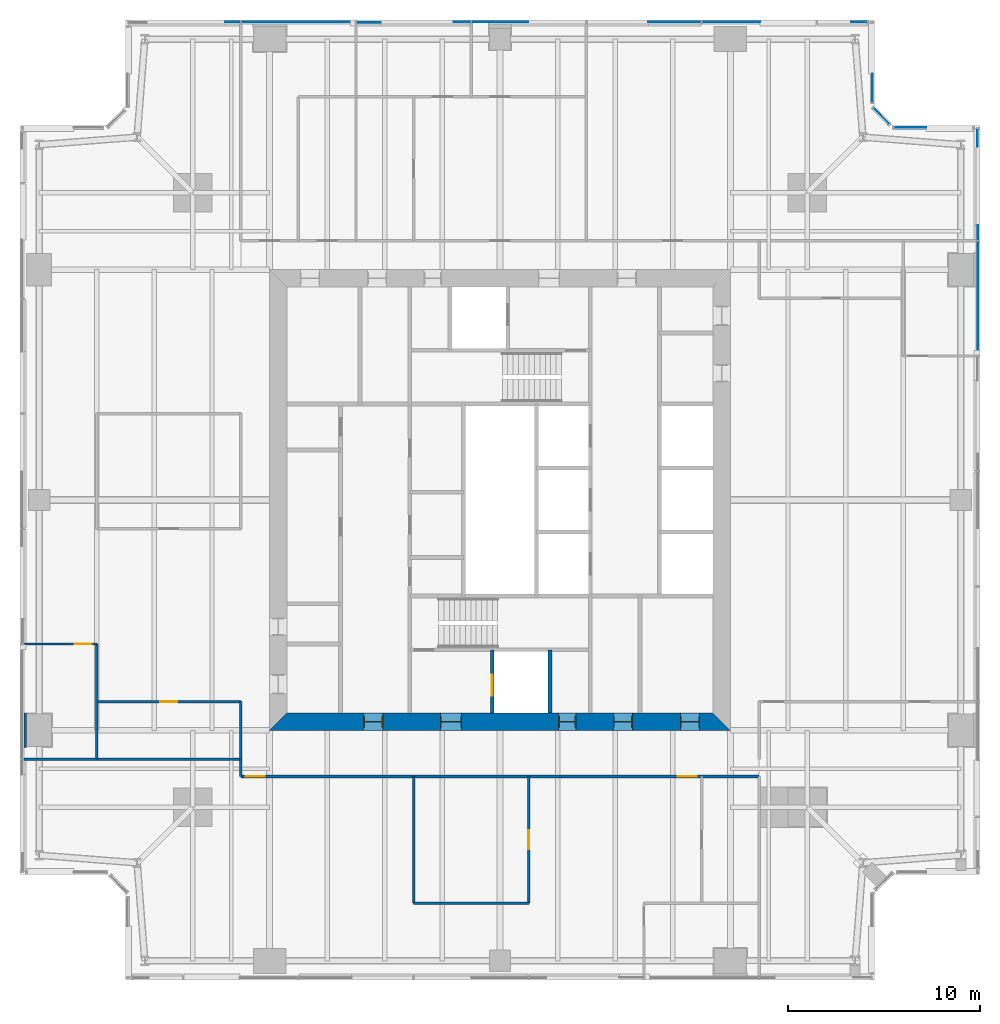
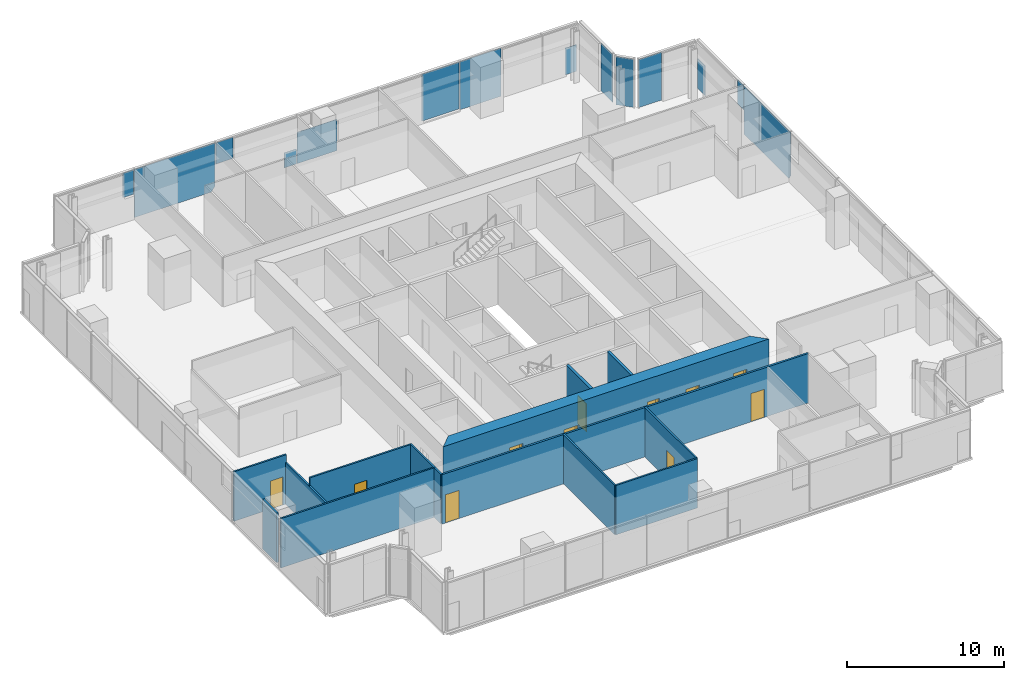
# One storey, part 10 of 15: 14 plates, 14 walls, 11 doors, 11 openings, 5 elements without a shape of their own.
"""IFC4 building model written with IfcOpenShell, lengths in metres."""

from ifc_helpers import new_model, si_unit, direction, frame, frame_2d, origin, origin_2d, place, context, subcontext, project, spatial, polyline, rectangle, outline, extrude, material, layer, layer_set, type_object, element, fill, aggregate, save


model = new_model("IFC4")

# Units and contexts
model_context = context("Model", 3, precision=1e-05, world=origin(), true_north=direction((0.0, 1.0)))
body_context = subcontext(model_context, "Body", "Model", "MODEL_VIEW")
ifc_project = project(units=[si_unit("LENGTHUNIT", "METRE"), si_unit("AREAUNIT", "SQUARE_METRE"), si_unit("VOLUMEUNIT", "CUBIC_METRE"), si_unit("PLANEANGLEUNIT", "RADIAN"), si_unit("MASSUNIT", "GRAM", prefix="KILO")], contexts=[model_context])

# Site, building, storey
site_placement = place(None, origin())
site = spatial("IfcSite", under=ifc_project, at=site_placement, CompositionType="ELEMENT")
building_placement = place(site_placement, origin())
building = spatial("IfcBuilding", under=site, at=building_placement, Name="Fenwick Lantern Interchange", CompositionType="ELEMENT")
storey_placement = place(building_placement, frame((0.0, 0.0, 209.800048828125)))
storey = spatial("IfcBuildingStorey", under=building, at=storey_placement, Name="L49", CompositionType="ELEMENT", Elevation=209.800048828125)

# Curtain wall, plates
ifc_material_1 = material(Name="Aluminium curtain wall frame", Category="aluminium")
curtain_wall_type = type_object("IfcCurtainWallType", Name="OFFICE CURTAIN WALL", PredefinedType="USERDEFINED", material=ifc_material_1)
curtain_wall_1_placement = place(storey_placement, origin())
curtain_wall_1 = element("IfcCurtainWall", 1, at=curtain_wall_1_placement, inside=storey, type_object=curtain_wall_type, Name="Office curtain wall 05", ObjectType="OFFICE CURTAIN WALL", PredefinedType="USERDEFINED")
ifc_material_2 = material(Name="Vision glass, clear low-iron double glazed", Category="glass")
ifc_layer_1 = layer(ifc_material_2, 0.031982421875)
ifc_layer_set_1 = layer_set([ifc_layer_1], Name="OFFICE CURTAIN WALL PANEL 32")
plate_type = type_object("IfcPlateType", Name="OFFICE CURTAIN WALL PANEL 32", PredefinedType="CURTAIN_PANEL", material=ifc_layer_set_1)
plate_1_placement = place(storey_placement, frame((49.89990234375, 5.60009765625, 0.0), z_axis=(0.0, 0.0, 1.0), x_axis=(0.0, 1.0, 0.0)))
plate_1 = element("IfcPlate", 2, at=plate_1_placement, type_object=plate_type, Name="L49/CW/05/P05a", PredefinedType="CURTAIN_PANEL", context=body_context, shape_type="SweptSolid", body=[
    extrude(outline(polyline([(27.195556640625, 0.0), (32.867431640625, 0.0), (32.867431640625, 3.75), (26.9326171875, 3.75), (26.9326171875, 0.3505859375), (27.195556640625, 0.0)])), frame((0.0, 0.01611328125, 0.0), z_axis=(0.0, -1.0, 0.0), x_axis=(1.0, 0.0, 0.0)), (0.0, 0.0, 1.0), 0.031982421875),
])
plate_2_placement = place(storey_placement, frame((49.89990234375, 5.60009765625, 1.843994140625), z_axis=(0.0, 0.0, 1.0), x_axis=(0.0, 1.0, 0.0)))
plate_2 = element("IfcPlate", 3, at=plate_2_placement, type_object=plate_type, Name="L49/CW/05/P06a", PredefinedType="CURTAIN_PANEL", context=body_context, shape_type="SweptSolid", body=[
    extrude(outline(polyline([(32.9326171875, 0.0), (33.702392578125, 0.0), (33.702392578125, 1.906005859375), (32.9326171875, 1.906005859375), (32.9326171875, 0.0)])), frame((0.0, 0.01611328125, 0.0), z_axis=(0.0, -1.0, 0.0), x_axis=(1.0, 0.0, 0.0)), (0.0, 0.0, 1.0), 0.031982421875),
])
plate_3_placement = place(storey_placement, frame((49.89990234375, 5.60009765625, 0.0), z_axis=(0.0, 0.0, 1.0), x_axis=(0.0, 1.0, 0.0)))
plate_3 = element("IfcPlate", 4, at=plate_3_placement, type_object=plate_type, Name="L49/CW/05/P06b", PredefinedType="CURTAIN_PANEL", context=body_context, shape_type="SweptSolid", body=[
    extrude(outline(polyline([(37.7890625, 0.0), (38.735107421875, 0.0), (38.735107421875, 2.33837890625), (37.7890625, 2.33837890625), (37.7890625, 0.0)])), frame((0.0, 0.0498046875, 0.0), z_axis=(0.0, -1.0, 0.0), x_axis=(1.0, 0.0, 0.0)), (0.0, 0.0, 1.0), 0.031982421875),
])
aggregate(curtain_wall_1, [plate_1, plate_2, plate_3])

# Curtain wall, plate
curtain_wall_2_placement = place(storey_placement, origin())
curtain_wall_2 = element("IfcCurtainWall", 5, at=curtain_wall_2_placement, inside=storey, type_object=curtain_wall_type, Name="Office curtain wall 06", ObjectType="OFFICE CURTAIN WALL", PredefinedType="USERDEFINED")
plate_4_placement = place(storey_placement, frame((49.89990234375, 44.39990234375, 0.0), z_axis=(0.0, 0.0, 1.0), x_axis=(-1.0, 0.0, 0.0)))
plate_4 = element("IfcPlate", 6, at=plate_4_placement, type_object=plate_type, Name="L49/CW/06/P00a", PredefinedType="CURTAIN_PANEL", context=body_context, shape_type="SweptSolid", body=[
    extrude(outline(polyline([(2.699951171875, 0.0), (4.37646484375, 0.0), (4.37646484375, 3.75), (2.699951171875, 3.75), (2.699951171875, 0.0)])), frame((0.0, 0.01611328125, 0.0), z_axis=(0.0, -1.0, 0.0), x_axis=(1.0, 0.0, 0.0)), (0.0, 0.0, 1.0), 0.031982421875),
])
aggregate(curtain_wall_2, [plate_4])

curtain_wall_3_placement = place(storey_placement, origin())
curtain_wall_3 = element("IfcCurtainWall", 7, at=curtain_wall_3_placement, inside=storey, type_object=curtain_wall_type, Name="Office curtain wall 07", ObjectType="OFFICE CURTAIN WALL", PredefinedType="USERDEFINED")
plate_5_placement = place(storey_placement, frame((44.858642578125, 45.0, 0.0), z_axis=(0.0, 0.0, 1.0), x_axis=(-0.707106781187, 0.707106781187, 0.0)))
plate_5 = element("IfcPlate", 8, at=plate_5_placement, type_object=plate_type, Name="L49/CW/07/P00", PredefinedType="CURTAIN_PANEL", context=body_context, shape_type="SweptSolid", body=[
    extrude(rectangle(XDim=1.1669921875, YDim=0.031982421875, at=origin_2d()), origin(), (0.0, 0.0, 1.0), 3.75),
])
aggregate(curtain_wall_3, [plate_5])

curtain_wall_4_placement = place(storey_placement, origin())
curtain_wall_4 = element("IfcCurtainWall", 9, at=curtain_wall_4_placement, inside=storey, type_object=curtain_wall_type, Name="Office curtain wall 08", ObjectType="OFFICE CURTAIN WALL", PredefinedType="USERDEFINED")
plate_6_placement = place(storey_placement, frame((44.39990234375, 45.45849609375, 0.0), z_axis=(0.0, 0.0, 1.0), x_axis=(0.0, 1.0, 0.0)))
plate_6 = element("IfcPlate", 10, at=plate_6_placement, type_object=plate_type, Name="L49/CW/08/P00a", PredefinedType="CURTAIN_PANEL", context=body_context, shape_type="SweptSolid", body=[
    extrude(outline(polyline([(0.264892578125, 0.0), (1.741455078125, 0.0), (1.741455078125, 3.75), (0.264892578125, 3.75), (0.264892578125, 0.0)])), frame((0.0, 0.01611328125, 0.0), z_axis=(0.0, -1.0, 0.0), x_axis=(1.0, 0.0, 0.0)), (0.0, 0.0, 1.0), 0.031982421875),
])
aggregate(curtain_wall_4, [plate_6])

# Curtain wall, plates
curtain_wall_5_placement = place(storey_placement, origin())
curtain_wall_5 = element("IfcCurtainWall", 11, at=curtain_wall_5_placement, inside=storey, type_object=curtain_wall_type, Name="Office curtain wall 09", ObjectType="OFFICE CURTAIN WALL", PredefinedType="USERDEFINED")
plate_7_placement = place(storey_placement, frame((44.39990234375, 49.89990234375, 0.0), z_axis=(0.0, 0.0, 1.0), x_axis=(-1.0, 0.0, 0.0)))
plate_7 = element("IfcPlate", 12, at=plate_7_placement, type_object=plate_type, Name="L49/CW/09/P00a", PredefinedType="CURTAIN_PANEL", context=body_context, shape_type="SweptSolid", body=[
    extrude(outline(polyline([(0.264892578125, 0.0), (1.114990234375, 0.0), (1.114990234375, 2.082275390625), (0.264892578125, 2.082275390625), (0.264892578125, 0.0)])), frame((0.0, 0.01611328125, 0.0), z_axis=(0.0, -1.0, 0.0), x_axis=(1.0, 0.0, 0.0)), (0.0, 0.0, 1.0), 0.031982421875),
])
plate_8_placement = place(storey_placement, frame((44.39990234375, 49.89990234375, 0.0), z_axis=(0.0, 0.0, 1.0), x_axis=(-1.0, 0.0, 0.0)))
plate_8 = element("IfcPlate", 13, at=plate_8_placement, type_object=plate_type, Name="L49/CW/09/P01a", PredefinedType="CURTAIN_PANEL", context=body_context, shape_type="SweptSolid", body=[
    extrude(outline(polyline([(5.84814453125, 0.0), (8.867431640625, 0.0), (8.867431640625, 3.75), (5.84814453125, 3.75), (5.84814453125, 0.0)])), frame((0.0, 0.01611328125, 0.0), z_axis=(0.0, -1.0, 0.0), x_axis=(1.0, 0.0, 0.0)), (0.0, 0.0, 1.0), 0.031982421875),
])
plate_9_placement = place(storey_placement, frame((44.39990234375, 49.89990234375, 0.090576171875), z_axis=(0.0, 0.0, 1.0), x_axis=(-1.0, 0.0, 0.0)))
plate_9 = element("IfcPlate", 14, at=plate_9_placement, type_object=plate_type, Name="L49/CW/09/P02a", PredefinedType="CURTAIN_PANEL", context=body_context, shape_type="SweptSolid", body=[
    extrude(outline(polyline([(8.9326171875, 0.0), (11.672607421875, 0.0), (11.672607421875, 3.659423828125), (8.9326171875, 3.659423828125), (8.9326171875, 0.0)])), frame((0.0, 0.01611328125, 0.0), z_axis=(0.0, -1.0, 0.0), x_axis=(1.0, 0.0, 0.0)), (0.0, 0.0, 1.0), 0.031982421875),
])
plate_10_placement = place(storey_placement, frame((44.39990234375, 49.89990234375, 0.0), z_axis=(0.0, 0.0, 1.0), x_axis=(-1.0, 0.0, 0.0)))
plate_10 = element("IfcPlate", 15, at=plate_10_placement, type_object=plate_type, Name="L49/CW/09/P03a", PredefinedType="CURTAIN_PANEL", context=body_context, shape_type="SweptSolid", body=[
    extrude(outline(polyline([(17.9345703125, 0.0), (20.864501953125, 0.0), (20.864501953125, 2.43994140625), (17.9345703125, 2.43994140625), (17.9345703125, 0.0)])), frame((0.0, 0.01611328125, 0.0), z_axis=(0.0, -1.0, 0.0), x_axis=(1.0, 0.0, 0.0)), (0.0, 0.0, 1.0), 0.031982421875),
])
plate_11_placement = place(storey_placement, frame((44.39990234375, 49.89990234375, 0.0), z_axis=(0.0, 0.0, 1.0), x_axis=(-1.0, 0.0, 0.0)))
plate_11 = element("IfcPlate", 16, at=plate_11_placement, type_object=plate_type, Name="L49/CW/09/P04a", PredefinedType="CURTAIN_PANEL", context=body_context, shape_type="SweptSolid", body=[
    extrude(outline(polyline([(20.9326171875, 0.0), (21.8125, 0.0), (21.8125, 1.17724609375), (20.9326171875, 1.17724609375), (20.9326171875, 0.0)])), frame((0.0, 0.01611328125, 0.0), z_axis=(0.0, -1.0, 0.0), x_axis=(1.0, 0.0, 0.0)), (0.0, 0.0, 1.0), 0.031982421875),
])
plate_12_placement = place(storey_placement, frame((44.39990234375, 49.89990234375, 2.0966796875), z_axis=(0.0, 0.0, 1.0), x_axis=(-1.0, 0.0, 0.0)))
plate_12 = element("IfcPlate", 17, at=plate_12_placement, type_object=plate_type, Name="L49/CW/09/P04b", PredefinedType="CURTAIN_PANEL", context=body_context, shape_type="SweptSolid", body=[
    extrude(outline(polyline([(25.623046875, 0.0), (26.867431640625, 0.0), (26.867431640625, 1.6533203125), (25.623046875, 1.6533203125), (25.623046875, 0.0)])), frame((0.0, 0.0498046875, 0.0), z_axis=(0.0, -1.0, 0.0), x_axis=(1.0, 0.0, 0.0)), (0.0, 0.0, 1.0), 0.031982421875),
])
plate_13_placement = place(storey_placement, frame((44.39990234375, 49.89990234375, 0.0), z_axis=(0.0, 0.0, 1.0), x_axis=(-1.0, 0.0, 0.0)))
plate_13 = element("IfcPlate", 18, at=plate_13_placement, type_object=plate_type, Name="L49/CW/09/P05a", PredefinedType="CURTAIN_PANEL", context=body_context, shape_type="SweptSolid", body=[
    extrude(outline(polyline([(27.195556640625, 0.0), (32.867431640625, 0.0), (32.867431640625, 3.75), (26.9326171875, 3.75), (26.9326171875, 0.3505859375), (27.195556640625, 0.0)])), frame((0.0, 0.01611328125, 0.0), z_axis=(0.0, -1.0, 0.0), x_axis=(1.0, 0.0, 0.0)), (0.0, 0.0, 1.0), 0.031982421875),
])
plate_14_placement = place(storey_placement, frame((44.39990234375, 49.89990234375, 1.843994140625), z_axis=(0.0, 0.0, 1.0), x_axis=(-1.0, 0.0, 0.0)))
plate_14 = element("IfcPlate", 19, at=plate_14_placement, type_object=plate_type, Name="L49/CW/09/P06a", PredefinedType="CURTAIN_PANEL", context=body_context, shape_type="SweptSolid", body=[
    extrude(outline(polyline([(32.9326171875, 0.0), (33.702392578125, 0.0), (33.702392578125, 1.906005859375), (32.9326171875, 1.906005859375), (32.9326171875, 0.0)])), frame((0.0, 0.01611328125, 0.0), z_axis=(0.0, -1.0, 0.0), x_axis=(1.0, 0.0, 0.0)), (0.0, 0.0, 1.0), 0.031982421875),
])
aggregate(curtain_wall_5, [plate_7, plate_8, plate_9, plate_10, plate_11, plate_12, plate_13, plate_14])

# Wall
ifc_material_3 = material(Name="Fire-rated gypsum board encasement on steel studs, 2 hour", Category="steel")
ifc_layer_2 = layer(ifc_material_3, 1.800048828125)
ifc_layer_set_2 = layer_set([ifc_layer_2], Name="COLUMN PIER 1800")
wall_type_1 = type_object("IfcWallType", Name="COLUMN PIER 1800", PredefinedType="PARTITIONING", material=ifc_layer_set_2)
wall_1_placement = place(storey_placement, frame((0.199951171875, 13.0, 0.0), z_axis=(0.0, 0.0, 1.0), x_axis=(1.0, 0.0, 0.0)))
element("IfcWall", 20, at=wall_1_placement, inside=storey, type_object=wall_type_1, Name="L49/W/PIER/CW4", PredefinedType="PARTITIONING", context=body_context, shape_type="SweptSolid", body=[
    extrude(rectangle(XDim=0.150146484375, YDim=1.800048828125, at=frame_2d((0.0751953125, 0.0))), origin(), (0.0, 0.0, 1.0), 3.849853515625),
])

# Wall, opening, door
ifc_material_4 = material(Name="Concrete masonry ASTM C90 Grade N", Category="masonry")
ifc_layer_3 = layer(ifc_material_4, 0.199951171875)
ifc_layer_set_3 = layer_set([ifc_layer_3], Name="Concrete masonry ASTM C90 Grade N")
wall_type_2 = type_object("IfcWallType", Name="CORE PARTITION 200", PredefinedType="PARTITIONING", material=ifc_layer_set_3)
wall_2_placement = place(storey_placement, frame((24.60009765625, 13.89990234375, 0.0), z_axis=(0.0, 0.0, 1.0), x_axis=(0.0, 1.0, 0.0)))
wall_2 = element("IfcWall", 21, at=wall_2_placement, inside=storey, type_object=wall_type_2, Name="L49/W/CORES/h1", PredefinedType="PARTITIONING", context=body_context, shape_type="SweptSolid", body=[
    extrude(rectangle(XDim=3.300048828125, YDim=0.199951171875, at=frame_2d((1.64990234375, 0.0))), origin(), (0.0, 0.0, 1.0), 3.800048828125),
])
opening_1_placement = place(wall_2_placement, frame((0.89990234375, 0.0, 0.0)))
opening_1 = element("IfcOpeningElement", 22, at=opening_1_placement, cuts=wall_2, Name="Opening LD-FL1", PredefinedType="OPENING", context=body_context, shape_type="SweptSolid", body=[
    extrude(rectangle(XDim=1.10009765625, YDim=2.199951171875, at=frame_2d((0.550048828125, 1.10009765625))), frame((0.0, 0.10986328125, 0.0), z_axis=(0.0, -1.0, 0.0), x_axis=(1.0, 0.0, 0.0)), (0.0, 0.0, 1.0), 0.219970703125),
])
ifc_material_5 = material(Name="Steel door and frame", Category="steel")
door_type_1 = type_object("IfcDoorType", Name="LIFT LANDING DOOR 1100 X 2200", OperationType="DOUBLE_DOOR_SLIDING", PredefinedType="DOOR", material=ifc_material_5)
door_1_placement = place(opening_1_placement, origin())
door_1 = element("IfcDoor", 23, at=door_1_placement, inside=storey, type_object=door_type_1, Name="Lift landing door FL1", OperationType="DOUBLE_DOOR_SLIDING", OverallHeight=2.199951171875, OverallWidth=1.10009765625, PredefinedType="DOOR", context=body_context, shape_type="SweptSolid", body=[
    extrude(rectangle(XDim=1.10009765625, YDim=2.199951171875, at=frame_2d((0.550048828125, 1.10009765625))), frame((0.0, 0.02490234375, 0.0), z_axis=(0.0, -1.0, 0.0), x_axis=(1.0, 0.0, 0.0)), (0.0, 0.0, 1.0), 0.050048828125),
])
fill(opening_1, door_1)

# Wall
wall_3_placement = place(storey_placement, frame((27.60009765625, 13.89990234375, 0.0), z_axis=(0.0, 0.0, 1.0), x_axis=(0.0, 1.0, 0.0)))
element("IfcWall", 24, at=wall_3_placement, inside=storey, type_object=wall_type_2, Name="L49/W/CORES/h2", PredefinedType="PARTITIONING", context=body_context, shape_type="SweptSolid", body=[
    extrude(rectangle(XDim=3.300048828125, YDim=0.199951171875, at=frame_2d((1.64990234375, 0.0))), origin(), (0.0, 0.0, 1.0), 3.800048828125),
])

# Wall, openings, doors
ifc_material_6 = material(Name="Concrete f'c 70 MPa", Category="concrete")
ifc_layer_4 = layer(ifc_material_6, 0.89990234375)
ifc_layer_set_4 = layer_set([ifc_layer_4], Name="CORE WALL 900")
wall_type_3 = type_object("IfcWallType", Name="CORE WALL 900", PredefinedType="SHEAR", material=ifc_layer_set_4)
wall_4_placement = place(storey_placement, frame((13.0, 13.449951171875, 0.0), z_axis=(0.0, 0.0, 1.0), x_axis=(1.0, 0.0, 0.0)))
wall_4 = element("IfcWall", 25, at=wall_4_placement, inside=storey, type_object=wall_type_3, Name="L49/CORE/S", PredefinedType="SHEAR", context=body_context, shape_type="SweptSolid", body=[
    extrude(outline(polyline([(0.0, -0.449951171875), (24.0, -0.449951171875), (23.10009765625, 0.449951171875), (0.89990234375, 0.449951171875), (0.0, -0.449951171875)])), origin(), (0.0, 0.0, 1.0), 4.0),
])
opening_2_placement = place(wall_4_placement, frame((4.89990234375, 0.0, 0.0)))
opening_2 = element("IfcOpeningElement", 26, at=opening_2_placement, cuts=wall_4, Name="Opening L49-D001", PredefinedType="OPENING", context=body_context, shape_type="SweptSolid", body=[
    extrude(rectangle(XDim=1.0, YDim=2.199951171875, at=frame_2d((0.5, 1.10009765625))), frame((0.0, 0.4599609375, 0.0), z_axis=(0.0, -1.0, 0.0), x_axis=(1.0, 0.0, 0.0)), (0.0, 0.0, 1.0), 0.919921875),
])
opening_3_placement = place(wall_4_placement, frame((8.89990234375, 0.0, 0.0)))
opening_3 = element("IfcOpeningElement", 27, at=opening_3_placement, cuts=wall_4, Name="Opening L49-D002", PredefinedType="OPENING", context=body_context, shape_type="SweptSolid", body=[
    extrude(rectangle(XDim=1.10009765625, YDim=2.199951171875, at=frame_2d((0.550048828125, 1.10009765625))), frame((0.0, 0.4599609375, 0.0), z_axis=(0.0, -1.0, 0.0), x_axis=(1.0, 0.0, 0.0)), (0.0, 0.0, 1.0), 0.919921875),
])
opening_4_placement = place(wall_4_placement, frame((15.050048828125, 0.0, 0.0)))
opening_4 = element("IfcOpeningElement", 28, at=opening_4_placement, cuts=wall_4, Name="Opening L49-D004", PredefinedType="OPENING", context=body_context, shape_type="SweptSolid", body=[
    extrude(rectangle(XDim=0.89990234375, YDim=2.199951171875, at=frame_2d((0.449951171875, 1.10009765625))), frame((0.0, 0.4599609375, 0.0), z_axis=(0.0, -1.0, 0.0), x_axis=(1.0, 0.0, 0.0)), (0.0, 0.0, 1.0), 0.919921875),
])
opening_5_placement = place(wall_4_placement, frame((17.89990234375, 0.0, 0.0)))
opening_5 = element("IfcOpeningElement", 29, at=opening_5_placement, cuts=wall_4, Name="Opening L49-D005", PredefinedType="OPENING", context=body_context, shape_type="SweptSolid", body=[
    extrude(rectangle(XDim=1.0, YDim=2.199951171875, at=frame_2d((0.5, 1.10009765625))), frame((0.0, 0.4599609375, 0.0), z_axis=(0.0, -1.0, 0.0), x_axis=(1.0, 0.0, 0.0)), (0.0, 0.0, 1.0), 0.919921875),
])
opening_6_placement = place(wall_4_placement, frame((21.39990234375, 0.0, 0.0)))
opening_6 = element("IfcOpeningElement", 30, at=opening_6_placement, cuts=wall_4, Name="Opening L49-D006", PredefinedType="OPENING", context=body_context, shape_type="SweptSolid", body=[
    extrude(rectangle(XDim=1.0, YDim=2.199951171875, at=frame_2d((0.5, 1.10009765625))), frame((0.0, 0.4599609375, 0.0), z_axis=(0.0, -1.0, 0.0), x_axis=(1.0, 0.0, 0.0)), (0.0, 0.0, 1.0), 0.919921875),
])
door_type_2 = type_object("IfcDoorType", Name="CORE LOBBY DOOR 1000 X 2200", OperationType="SINGLE_SWING_LEFT", PredefinedType="DOOR", material=ifc_material_5)
door_2_placement = place(opening_2_placement, origin())
door_2 = element("IfcDoor", 31, at=door_2_placement, inside=storey, type_object=door_type_2, Name="Core lobby door", OperationType="SINGLE_SWING_LEFT", OverallHeight=2.199951171875, OverallWidth=1.0, PredefinedType="DOOR", context=body_context, shape_type="SweptSolid", body=[
    extrude(rectangle(XDim=1.0, YDim=2.199951171875, at=frame_2d((0.5, 1.10009765625))), frame((0.0, 0.02490234375, 0.0), z_axis=(0.0, -1.0, 0.0), x_axis=(1.0, 0.0, 0.0)), (0.0, 0.0, 1.0), 0.050048828125),
    extrude(outline(polyline([(0.0, 0.0), (0.0400390625, 0.0), (0.0400390625, 2.159912109375), (0.9599609375, 2.159912109375), (0.9599609375, 0.0), (1.0, 0.0), (1.0, 2.199951171875), (0.0, 2.199951171875), (0.0, 0.0)])), frame((0.0, 0.300048828125, 0.0), z_axis=(0.0, -1.0, 0.0), x_axis=(1.0, 0.0, 0.0)), (0.0, 0.0, 1.0), 0.60009765625),
])
fill(opening_2, door_2)
door_type_3 = type_object("IfcDoorType", Name="FIRE LOBBY DOOR 1100 X 2200", OperationType="SINGLE_SWING_LEFT", PredefinedType="DOOR", material=ifc_material_5)
door_3_placement = place(opening_3_placement, origin())
door_3 = element("IfcDoor", 32, at=door_3_placement, inside=storey, type_object=door_type_3, Name="Fire lobby door", OperationType="SINGLE_SWING_LEFT", OverallHeight=2.199951171875, OverallWidth=1.10009765625, PredefinedType="DOOR", context=body_context, shape_type="SweptSolid", body=[
    extrude(rectangle(XDim=1.10009765625, YDim=2.199951171875, at=frame_2d((0.550048828125, 1.10009765625))), frame((0.0, 0.02490234375, 0.0), z_axis=(0.0, -1.0, 0.0), x_axis=(1.0, 0.0, 0.0)), (0.0, 0.0, 1.0), 0.050048828125),
    extrude(outline(polyline([(0.0, 0.0), (0.0400390625, 0.0), (0.0400390625, 2.159912109375), (1.06005859375, 2.159912109375), (1.06005859375, 0.0), (1.10009765625, 0.0), (1.10009765625, 2.199951171875), (0.0, 2.199951171875), (0.0, 0.0)])), frame((0.0, 0.300048828125, 0.0), z_axis=(0.0, -1.0, 0.0), x_axis=(1.0, 0.0, 0.0)), (0.0, 0.0, 1.0), 0.60009765625),
])
fill(opening_3, door_3)
door_type_4 = type_object("IfcDoorType", Name="SERVICE DOOR 900 X 2200", OperationType="SINGLE_SWING_LEFT", PredefinedType="DOOR", material=ifc_material_5)
door_4_placement = place(opening_4_placement, origin())
door_4 = element("IfcDoor", 33, at=door_4_placement, inside=storey, type_object=door_type_4, Name="Service door", OperationType="SINGLE_SWING_LEFT", OverallHeight=2.199951171875, OverallWidth=0.89990234375, PredefinedType="DOOR", context=body_context, shape_type="SweptSolid", body=[
    extrude(rectangle(XDim=0.89990234375, YDim=2.199951171875, at=frame_2d((0.449951171875, 1.10009765625))), frame((0.0, 0.02490234375, 0.0), z_axis=(0.0, -1.0, 0.0), x_axis=(1.0, 0.0, 0.0)), (0.0, 0.0, 1.0), 0.050048828125),
    extrude(outline(polyline([(0.0, 0.0), (0.0400390625, 0.0), (0.0400390625, 2.159912109375), (0.85986328125, 2.159912109375), (0.85986328125, 0.0), (0.89990234375, 0.0), (0.89990234375, 2.199951171875), (0.0, 2.199951171875), (0.0, 0.0)])), frame((0.0, 0.300048828125, 0.0), z_axis=(0.0, -1.0, 0.0), x_axis=(1.0, 0.0, 0.0)), (0.0, 0.0, 1.0), 0.60009765625),
])
fill(opening_4, door_4)
ifc_material_7 = material(Name="Hardwood door and steel frame", Category="steel")
door_type_5 = type_object("IfcDoorType", Name="WC DOOR 1000 X 2200", OperationType="SINGLE_SWING_LEFT", PredefinedType="DOOR", material=ifc_material_7)
door_5_placement = place(opening_5_placement, origin())
door_5 = element("IfcDoor", 34, at=door_5_placement, inside=storey, type_object=door_type_5, Name="Wc door", OperationType="SINGLE_SWING_RIGHT", OverallHeight=2.199951171875, OverallWidth=1.0, PredefinedType="DOOR", context=body_context, shape_type="SweptSolid", body=[
    extrude(rectangle(XDim=1.0, YDim=2.199951171875, at=frame_2d((0.5, 1.10009765625))), frame((0.0, 0.02490234375, 0.0), z_axis=(0.0, -1.0, 0.0), x_axis=(1.0, 0.0, 0.0)), (0.0, 0.0, 1.0), 0.050048828125),
    extrude(outline(polyline([(0.0, 0.0), (0.0400390625, 0.0), (0.0400390625, 2.159912109375), (0.9599609375, 2.159912109375), (0.9599609375, 0.0), (1.0, 0.0), (1.0, 2.199951171875), (0.0, 2.199951171875), (0.0, 0.0)])), frame((0.0, 0.300048828125, 0.0), z_axis=(0.0, -1.0, 0.0), x_axis=(1.0, 0.0, 0.0)), (0.0, 0.0, 1.0), 0.60009765625),
])
fill(opening_5, door_5)
door_6_placement = place(opening_6_placement, origin())
door_6 = element("IfcDoor", 35, at=door_6_placement, inside=storey, type_object=door_type_5, Name="Wc door", OperationType="SINGLE_SWING_RIGHT", OverallHeight=2.199951171875, OverallWidth=1.0, PredefinedType="DOOR", context=body_context, shape_type="SweptSolid", body=[
    extrude(rectangle(XDim=1.0, YDim=2.199951171875, at=frame_2d((0.5, 1.10009765625))), frame((0.0, 0.02490234375, 0.0), z_axis=(0.0, -1.0, 0.0), x_axis=(1.0, 0.0, 0.0)), (0.0, 0.0, 1.0), 0.050048828125),
    extrude(outline(polyline([(0.0, 0.0), (0.0400390625, 0.0), (0.0400390625, 2.159912109375), (0.9599609375, 2.159912109375), (0.9599609375, 0.0), (1.0, 0.0), (1.0, 2.199951171875), (0.0, 2.199951171875), (0.0, 0.0)])), frame((0.0, 0.300048828125, 0.0), z_axis=(0.0, -1.0, 0.0), x_axis=(1.0, 0.0, 0.0)), (0.0, 0.0, 1.0), 0.60009765625),
])
fill(opening_6, door_6)

# Wall
ifc_material_8 = material(Name="Gypsum board on steel studs, 1 hour", Category="steel")
ifc_layer_5 = layer(ifc_material_8, 0.14990234375)
ifc_layer_set_5 = layer_set([ifc_layer_5], Name="CORRIDOR WALL 150")
wall_type_4 = type_object("IfcWallType", Name="CORRIDOR WALL 150", PredefinedType="PARTITIONING", material=ifc_layer_set_5)
wall_5_placement = place(storey_placement, frame((11.5, 11.5, 0.0), z_axis=(0.0, 0.0, 1.0), x_axis=(0.0, -1.0, 0.0)))
element("IfcWall", 36, at=wall_5_placement, inside=storey, type_object=wall_type_4, Name="L49/W/OFF/S/CWJ", PredefinedType="PARTITIONING", context=body_context, shape_type="SweptSolid", body=[
    extrude(rectangle(XDim=0.89990234375, YDim=0.14990234375, at=frame_2d((0.449951171875, 0.0))), origin(), (0.0, 0.0, 1.0), 3.849853515625),
])

# Wall, openings, doors
wall_6_placement = place(storey_placement, frame((11.5, 10.60009765625, 0.0), z_axis=(0.0, 0.0, 1.0), x_axis=(1.0, 0.0, 0.0)))
wall_6 = element("IfcWall", 37, at=wall_6_placement, inside=storey, type_object=wall_type_4, Name="L49/W/OFF/S/CW2", PredefinedType="PARTITIONING", context=body_context, shape_type="SweptSolid", body=[
    extrude(rectangle(XDim=27.0, YDim=0.14990234375, at=frame_2d((13.5, 0.0))), origin(), (0.0, 0.0, 1.0), 3.849853515625),
])
opening_7_placement = place(wall_6_placement, frame((0.25, 0.0, 0.0)))
opening_7 = element("IfcOpeningElement", 38, at=opening_7_placement, cuts=wall_6, Name="Opening L49-D022", PredefinedType="OPENING", context=body_context, shape_type="SweptSolid", body=[
    extrude(rectangle(XDim=1.0, YDim=2.199951171875, at=frame_2d((0.5, 1.10009765625))), frame((0.0, 0.0849609375, 0.0), z_axis=(0.0, -1.0, 0.0), x_axis=(1.0, 0.0, 0.0)), (0.0, 0.0, 1.0), 0.169921875),
])
opening_8_placement = place(wall_6_placement, frame((22.75, 0.0, 0.0)))
opening_8 = element("IfcOpeningElement", 39, at=opening_8_placement, cuts=wall_6, Name="Opening L49-D023", PredefinedType="OPENING", context=body_context, shape_type="SweptSolid", body=[
    extrude(rectangle(XDim=1.0, YDim=2.199951171875, at=frame_2d((0.5, 1.10009765625))), frame((0.0, 0.0849609375, 0.0), z_axis=(0.0, -1.0, 0.0), x_axis=(1.0, 0.0, 0.0)), (0.0, 0.0, 1.0), 0.169921875),
])
door_type_6 = type_object("IfcDoorType", Name="SUITE ENTRANCE DOOR 1000 X 2200", OperationType="SINGLE_SWING_LEFT", PredefinedType="DOOR", material=ifc_material_5)
door_7_placement = place(opening_7_placement, origin())
door_7 = element("IfcDoor", 40, at=door_7_placement, inside=storey, type_object=door_type_6, Name="Suite entrance door", OperationType="SINGLE_SWING_LEFT", OverallHeight=2.199951171875, OverallWidth=1.0, PredefinedType="DOOR", context=body_context, shape_type="SweptSolid", body=[
    extrude(rectangle(XDim=1.0, YDim=2.199951171875, at=frame_2d((0.5, 1.10009765625))), frame((0.0, 0.02490234375, 0.0), z_axis=(0.0, -1.0, 0.0), x_axis=(1.0, 0.0, 0.0)), (0.0, 0.0, 1.0), 0.050048828125),
])
fill(opening_7, door_7)
door_8_placement = place(opening_8_placement, origin())
door_8 = element("IfcDoor", 41, at=door_8_placement, inside=storey, type_object=door_type_6, Name="Suite entrance door", OperationType="SINGLE_SWING_RIGHT", OverallHeight=2.199951171875, OverallWidth=1.0, PredefinedType="DOOR", context=body_context, shape_type="SweptSolid", body=[
    extrude(rectangle(XDim=1.0, YDim=2.199951171875, at=frame_2d((0.5, 1.10009765625))), frame((0.0, 0.02490234375, 0.0), z_axis=(0.0, -1.0, 0.0), x_axis=(1.0, 0.0, 0.0)), (0.0, 0.0, 1.0), 0.050048828125),
])
fill(opening_8, door_8)

# Walls
ifc_material_9 = material(Name="Gypsum board on steel studs, acoustic", Category="steel")
ifc_layer_6 = layer(ifc_material_9, 0.125)
ifc_layer_set_6 = layer_set([ifc_layer_6], Name="OFFICE PARTITION 125")
wall_type_5 = type_object("IfcWallType", Name="OFFICE PARTITION 125", PredefinedType="PARTITIONING", material=ifc_layer_set_6)
wall_7_placement = place(storey_placement, frame((0.14990234375, 11.5, 0.0), z_axis=(0.0, 0.0, 1.0), x_axis=(1.0, 0.0, 0.0)))
element("IfcWall", 42, at=wall_7_placement, inside=storey, type_object=wall_type_5, Name="L49/W/OFF/S/BACK", PredefinedType="PARTITIONING", context=body_context, shape_type="SweptSolid", body=[
    extrude(rectangle(XDim=11.35009765625, YDim=0.125, at=frame_2d((5.675048828125, 0.0))), origin(), (0.0, 0.0, 1.0), 3.849853515625),
])
wall_8_placement = place(storey_placement, frame((20.5, 4.0, 0.0), z_axis=(0.0, 0.0, 1.0), x_axis=(0.0, 1.0, 0.0)))
element("IfcWall", 43, at=wall_8_placement, inside=storey, type_object=wall_type_5, Name="L49/W/OFF/S/X205-1", PredefinedType="PARTITIONING", context=body_context, shape_type="SweptSolid", body=[
    extrude(rectangle(XDim=6.60009765625, YDim=0.125, at=frame_2d((3.300048828125, 0.0))), origin(), (0.0, 0.0, 1.0), 3.849853515625),
])

# Wall, opening, door
wall_9_placement = place(storey_placement, frame((26.5, 4.0, 0.0), z_axis=(0.0, 0.0, 1.0), x_axis=(0.0, 1.0, 0.0)))
wall_9 = element("IfcWall", 44, at=wall_9_placement, inside=storey, type_object=wall_type_5, Name="L49/W/OFF/S/X265-1", PredefinedType="PARTITIONING", context=body_context, shape_type="SweptSolid", body=[
    extrude(rectangle(XDim=6.60009765625, YDim=0.125, at=frame_2d((3.300048828125, 0.0))), origin(), (0.0, 0.0, 1.0), 3.849853515625),
])
opening_9_placement = place(wall_9_placement, frame((2.800048828125, 0.0, 0.0)))
opening_9 = element("IfcOpeningElement", 45, at=opening_9_placement, cuts=wall_9, Name="Opening L49-D024", PredefinedType="OPENING", context=body_context, shape_type="SweptSolid", body=[
    extrude(rectangle(XDim=1.0, YDim=2.199951171875, at=frame_2d((0.5, 1.10009765625))), frame((0.0, 0.072509765625, 0.0), z_axis=(0.0, -1.0, 0.0), x_axis=(1.0, 0.0, 0.0)), (0.0, 0.0, 1.0), 0.14501953125),
])
door_type_7 = type_object("IfcDoorType", Name="MEETING ROOM DOOR 1000 X 2200", OperationType="SINGLE_SWING_LEFT", PredefinedType="DOOR", material=ifc_material_7)
door_9_placement = place(opening_9_placement, origin())
door_9 = element("IfcDoor", 46, at=door_9_placement, inside=storey, type_object=door_type_7, Name="Meeting room door", OperationType="SINGLE_SWING_LEFT", OverallHeight=2.199951171875, OverallWidth=1.0, PredefinedType="DOOR", context=body_context, shape_type="SweptSolid", body=[
    extrude(rectangle(XDim=1.0, YDim=2.199951171875, at=frame_2d((0.5, 1.10009765625))), frame((0.0, 0.02490234375, 0.0), z_axis=(0.0, -1.0, 0.0), x_axis=(1.0, 0.0, 0.0)), (0.0, 0.0, 1.0), 0.050048828125),
])
fill(opening_9, door_9)

# Wall
wall_10_placement = place(storey_placement, frame((20.5, 4.0, 0.0), z_axis=(0.0, 0.0, 1.0), x_axis=(1.0, 0.0, 0.0)))
element("IfcWall", 47, at=wall_10_placement, inside=storey, type_object=wall_type_5, Name="L49/W/OFF/S/Y40-1", PredefinedType="PARTITIONING", context=body_context, shape_type="SweptSolid", body=[
    extrude(rectangle(XDim=6.0, YDim=0.125, at=frame_2d((3.0, 0.0))), origin(), (0.0, 0.0, 1.0), 3.849853515625),
])

# Wall, opening, door
wall_11_placement = place(storey_placement, frame((0.14990234375, 17.5, 0.0), z_axis=(0.0, 0.0, 1.0), x_axis=(1.0, 0.0, 0.0)))
wall_11 = element("IfcWall", 48, at=wall_11_placement, inside=storey, type_object=wall_type_5, Name="L49/W/OFF/W/X325-1", PredefinedType="PARTITIONING", context=body_context, shape_type="SweptSolid", body=[
    extrude(rectangle(XDim=3.85009765625, YDim=0.125, at=frame_2d((1.925048828125, 0.0))), origin(), (0.0, 0.0, 1.0), 3.849853515625),
])
opening_10_placement = place(wall_11_placement, frame((2.699951171875, 0.0, 0.0)))
opening_10 = element("IfcOpeningElement", 49, at=opening_10_placement, cuts=wall_11, Name="Opening L49-D039", PredefinedType="OPENING", context=body_context, shape_type="SweptSolid", body=[
    extrude(rectangle(XDim=0.89990234375, YDim=2.199951171875, at=frame_2d((0.449951171875, 1.10009765625))), frame((0.0, 0.072509765625, 0.0), z_axis=(0.0, -1.0, 0.0), x_axis=(1.0, 0.0, 0.0)), (0.0, 0.0, 1.0), 0.14501953125),
])
door_type_8 = type_object("IfcDoorType", Name="OFFICE DOOR 900 X 2200", OperationType="SINGLE_SWING_LEFT", PredefinedType="DOOR", material=ifc_material_7)
door_10_placement = place(opening_10_placement, frame((0.89990234375, 0.0, 0.0), z_axis=(0.0, 0.0, 1.0), x_axis=(-1.0, 0.0, 0.0)))
door_10 = element("IfcDoor", 50, at=door_10_placement, inside=storey, type_object=door_type_8, Name="Office door", OperationType="SINGLE_SWING_LEFT", OverallHeight=2.199951171875, OverallWidth=0.89990234375, PredefinedType="DOOR", context=body_context, shape_type="SweptSolid", body=[
    extrude(rectangle(XDim=0.89990234375, YDim=2.199951171875, at=frame_2d((0.449951171875, 1.10009765625))), frame((0.0, 0.02490234375, 0.0), z_axis=(0.0, -1.0, 0.0), x_axis=(1.0, 0.0, 0.0)), (0.0, 0.0, 1.0), 0.050048828125),
])
fill(opening_10, door_10)

wall_12_placement = place(storey_placement, frame((4.0, 14.5, 0.0), z_axis=(0.0, 0.0, 1.0), x_axis=(1.0, 0.0, 0.0)))
wall_12 = element("IfcWall", 51, at=wall_12_placement, inside=storey, type_object=wall_type_5, Name="L49/W/OFF/W/X355-1", PredefinedType="PARTITIONING", context=body_context, shape_type="SweptSolid", body=[
    extrude(rectangle(XDim=7.5, YDim=0.125, at=frame_2d((3.75, 0.0))), origin(), (0.0, 0.0, 1.0), 3.849853515625),
])
opening_11_placement = place(wall_12_placement, frame((3.300048828125, 0.0, 0.0)))
opening_11 = element("IfcOpeningElement", 52, at=opening_11_placement, cuts=wall_12, Name="Opening L49-D040", PredefinedType="OPENING", context=body_context, shape_type="SweptSolid", body=[
    extrude(rectangle(XDim=0.89990234375, YDim=2.199951171875, at=frame_2d((0.449951171875, 1.10009765625))), frame((0.0, 0.072509765625, 0.0), z_axis=(0.0, -1.0, 0.0), x_axis=(1.0, 0.0, 0.0)), (0.0, 0.0, 1.0), 0.14501953125),
])
door_11_placement = place(opening_11_placement, frame((0.89990234375, 0.0, 0.0), z_axis=(0.0, 0.0, 1.0), x_axis=(-1.0, 0.0, 0.0)))
door_11 = element("IfcDoor", 53, at=door_11_placement, inside=storey, type_object=door_type_8, Name="Office door", OperationType="SINGLE_SWING_RIGHT", OverallHeight=2.199951171875, OverallWidth=0.89990234375, PredefinedType="DOOR", context=body_context, shape_type="SweptSolid", body=[
    extrude(rectangle(XDim=0.89990234375, YDim=2.199951171875, at=frame_2d((0.449951171875, 1.10009765625))), frame((0.0, 0.02490234375, 0.0), z_axis=(0.0, -1.0, 0.0), x_axis=(1.0, 0.0, 0.0)), (0.0, 0.0, 1.0), 0.050048828125),
])
fill(opening_11, door_11)

# Walls
wall_13_placement = place(storey_placement, frame((4.0, 17.5, 0.0), z_axis=(0.0, 0.0, 1.0), x_axis=(0.0, -1.0, 0.0)))
element("IfcWall", 54, at=wall_13_placement, inside=storey, type_object=wall_type_5, Name="L49/W/OFF/W/Y40-2", PredefinedType="PARTITIONING", context=body_context, shape_type="SweptSolid", body=[
    extrude(rectangle(XDim=6.0, YDim=0.125, at=frame_2d((3.0, 0.0))), origin(), (0.0, 0.0, 1.0), 3.23779296875),
])
wall_14_placement = place(storey_placement, frame((11.5, 14.5, 0.0), z_axis=(0.0, 0.0, 1.0), x_axis=(0.0, -1.0, 0.0)))
element("IfcWall", 55, at=wall_14_placement, inside=storey, type_object=wall_type_5, Name="L49/W/OFF/W/CWS2", PredefinedType="PARTITIONING", context=body_context, shape_type="SweptSolid", body=[
    extrude(rectangle(XDim=3.0, YDim=0.125, at=frame_2d((1.5, 0.0))), origin(), (0.0, 0.0, 1.0), 3.849853515625),
])

save(model, "model.ifc")
